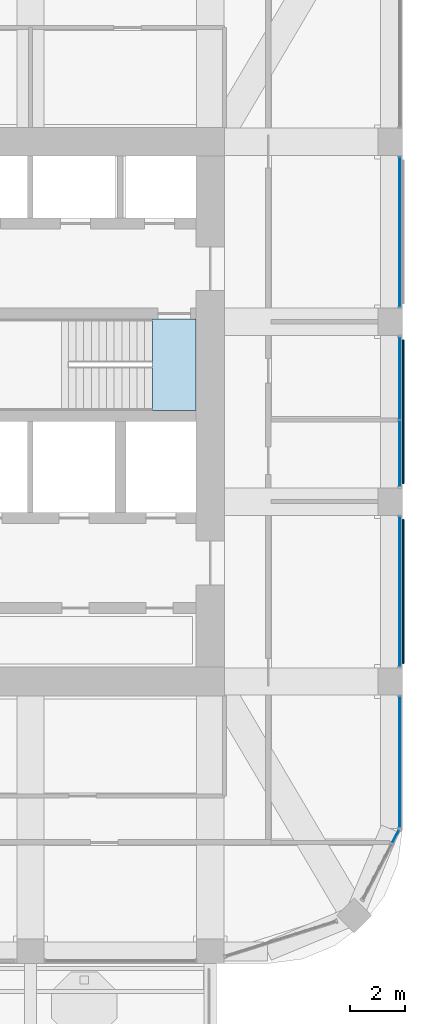
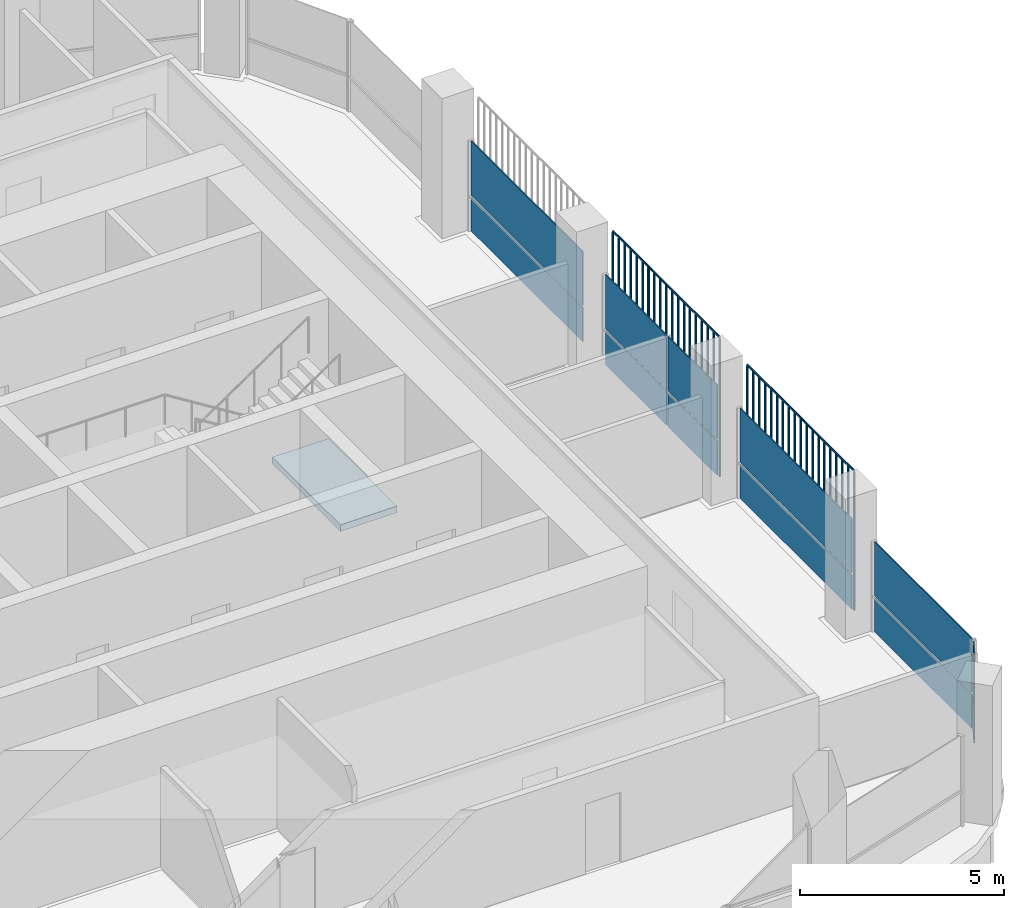
# One storey, part 11 of 21: 14 plates, 1 slab, 6 elements without a shape of their own.
"""IFC4 building model written with IfcOpenShell, lengths in metres."""

from ifc_helpers import new_model, si_unit, direction, frame, origin, origin_2d, place, context, subcontext, project, spatial, polyline, rectangle, outline, extrude, material, layer, layer_set, type_object, element, aggregate, save


model = new_model("IFC4")

# Units and contexts
model_context = context("Model", 3, precision=1e-05, world=origin(), true_north=direction((0.0, 1.0)))
body_context = subcontext(model_context, "Body", "Model", "MODEL_VIEW")
ifc_project = project(units=[si_unit("LENGTHUNIT", "METRE"), si_unit("AREAUNIT", "SQUARE_METRE"), si_unit("VOLUMEUNIT", "CUBIC_METRE"), si_unit("PLANEANGLEUNIT", "RADIAN"), si_unit("MASSUNIT", "GRAM", prefix="KILO")], contexts=[model_context])

# Site, building, storey
site_placement = place(None, origin())
site = spatial("IfcSite", under=ifc_project, at=site_placement, CompositionType="ELEMENT")
building_placement = place(site_placement, origin())
building = spatial("IfcBuilding", under=site, at=building_placement, Name="Cobogo Forest Laboratory Tower", CompositionType="ELEMENT")
storey_placement = place(building_placement, frame((0.0, 0.0, 258.60009765625)))
storey = spatial("IfcBuildingStorey", under=building, at=storey_placement, Name="L59", CompositionType="ELEMENT", Elevation=258.60009765625)

# Curtain wall, plates
ifc_material_1 = material(Name="Aluminium curtain wall", Category="aluminium")
curtain_wall_type = type_object("IfcCurtainWallType", Name="CW-2 unitised curtain wall, solar control glazing, laboratory floors zones C and D", PredefinedType="USERDEFINED", material=ifc_material_1)
curtain_wall_1_placement = place(storey_placement, origin())
curtain_wall_1 = element("IfcCurtainWall", 1, at=curtain_wall_1_placement, inside=storey, type_object=curtain_wall_type, Name="Curtain wall 06 L59", ObjectType="UNITISED CURTAIN WALL", PredefinedType="USERDEFINED")
ifc_material_2 = material(Name="Solar control insulated glass", Category="glass")
ifc_layer_1 = layer(ifc_material_2, 0.031982421875)
ifc_layer_set_1 = layer_set([ifc_layer_1], Name="GP-2 solar control glass unit 32")
plate_type_1 = type_object("IfcPlateType", Name="GP-2 solar control glass unit 32", PredefinedType="CURTAIN_PANEL", material=ifc_layer_set_1)
plate_1_placement = place(storey_placement, frame((46.40234375, 7.51806640625, 0.0), z_axis=(0.0, 0.0, 1.0), x_axis=(0.464283778337, 0.885686498245, 0.0)))
plate_1 = element("IfcPlate", 2, at=plate_1_placement, type_object=plate_type_1, Name="CW-2 panel 2.1", PredefinedType="CURTAIN_PANEL", context=body_context, shape_type="SweptSolid", body=[
    extrude(rectangle(XDim=0.516357421875, YDim=0.031982421875, at=origin_2d()), origin(), (0.0, 0.0, 1.0), 1.02001953125),
])
plate_2_placement = place(storey_placement, frame((46.40234375, 7.51806640625, 1.079833984375), z_axis=(0.0, 0.0, 1.0), x_axis=(0.464283778337, 0.885686498245, 0.0)))
plate_2 = element("IfcPlate", 3, at=plate_2_placement, type_object=plate_type_1, Name="CW-2 panel 2.2", PredefinedType="CURTAIN_PANEL", context=body_context, shape_type="SweptSolid", body=[
    extrude(rectangle(XDim=0.516357421875, YDim=0.031982421875, at=origin_2d()), origin(), (0.0, 0.0, 1.0), 1.6201171875),
])
aggregate(curtain_wall_1, [plate_1, plate_2])

curtain_wall_2_placement = place(storey_placement, origin())
curtain_wall_2 = element("IfcCurtainWall", 4, at=curtain_wall_2_placement, inside=storey, type_object=curtain_wall_type, Name="Curtain wall 07 L59", ObjectType="UNITISED CURTAIN WALL", PredefinedType="USERDEFINED")
plate_3_placement = place(storey_placement, frame((46.550048828125, 10.25, 0.0), z_axis=(0.0, 0.0, 1.0), x_axis=(0.0, 1.0, 0.0)))
plate_3 = element("IfcPlate", 5, at=plate_3_placement, type_object=plate_type_1, Name="CW-2 panel 1.1", PredefinedType="CURTAIN_PANEL", context=body_context, shape_type="SweptSolid", body=[
    extrude(rectangle(XDim=4.780029296875, YDim=0.031982421875, at=origin_2d()), origin(), (0.0, 0.0, 1.0), 1.02001953125),
])
plate_4_placement = place(storey_placement, frame((46.550048828125, 10.25, 1.079833984375), z_axis=(0.0, 0.0, 1.0), x_axis=(0.0, 1.0, 0.0)))
plate_4 = element("IfcPlate", 6, at=plate_4_placement, type_object=plate_type_1, Name="CW-2 panel 1.2", PredefinedType="CURTAIN_PANEL", context=body_context, shape_type="SweptSolid", body=[
    extrude(rectangle(XDim=4.780029296875, YDim=0.031982421875, at=origin_2d()), origin(), (0.0, 0.0, 1.0), 1.6201171875),
])
aggregate(curtain_wall_2, [plate_3, plate_4])

curtain_wall_3_placement = place(storey_placement, origin())
curtain_wall_3 = element("IfcCurtainWall", 7, at=curtain_wall_3_placement, inside=storey, type_object=curtain_wall_type, Name="Curtain wall 08 L59", ObjectType="UNITISED CURTAIN WALL", PredefinedType="USERDEFINED")
plate_5_placement = place(storey_placement, frame((46.550048828125, 16.5, 0.0), z_axis=(0.0, 0.0, 1.0), x_axis=(0.0, 1.0, 0.0)))
plate_5 = element("IfcPlate", 8, at=plate_5_placement, type_object=plate_type_1, Name="CW-2 panel 1.1", PredefinedType="CURTAIN_PANEL", context=body_context, shape_type="SweptSolid", body=[
    extrude(rectangle(XDim=5.47998046875, YDim=0.031982421875, at=origin_2d()), origin(), (0.0, 0.0, 1.0), 1.02001953125),
])
plate_6_placement = place(storey_placement, frame((46.550048828125, 16.5, 1.079833984375), z_axis=(0.0, 0.0, 1.0), x_axis=(0.0, 1.0, 0.0)))
plate_6 = element("IfcPlate", 9, at=plate_6_placement, type_object=plate_type_1, Name="CW-2 panel 1.2", PredefinedType="CURTAIN_PANEL", context=body_context, shape_type="SweptSolid", body=[
    extrude(rectangle(XDim=5.47998046875, YDim=0.031982421875, at=origin_2d()), origin(), (0.0, 0.0, 1.0), 1.6201171875),
])
aggregate(curtain_wall_3, [plate_5, plate_6])

curtain_wall_4_placement = place(storey_placement, origin())
curtain_wall_4 = element("IfcCurtainWall", 10, at=curtain_wall_4_placement, inside=storey, type_object=curtain_wall_type, Name="Curtain wall 09 L59", ObjectType="UNITISED CURTAIN WALL", PredefinedType="USERDEFINED")
plate_7_placement = place(storey_placement, frame((46.550048828125, 21.56494140625, 0.0), z_axis=(0.0, 0.0, 1.0), x_axis=(0.0, 1.0, 0.0)))
plate_7 = element("IfcPlate", 11, at=plate_7_placement, type_object=plate_type_1, Name="CW-2 panel 1.1", PredefinedType="CURTAIN_PANEL", context=body_context, shape_type="SweptSolid", body=[
    extrude(rectangle(XDim=2.409912109375, YDim=0.031982421875, at=origin_2d()), origin(), (0.0, 0.0, 1.0), 1.02001953125),
])
plate_8_placement = place(storey_placement, frame((46.550048828125, 21.56494140625, 1.079833984375), z_axis=(0.0, 0.0, 1.0), x_axis=(0.0, 1.0, 0.0)))
plate_8 = element("IfcPlate", 12, at=plate_8_placement, type_object=plate_type_1, Name="CW-2 panel 1.2", PredefinedType="CURTAIN_PANEL", context=body_context, shape_type="SweptSolid", body=[
    extrude(rectangle(XDim=2.409912109375, YDim=0.031982421875, at=origin_2d()), origin(), (0.0, 0.0, 1.0), 1.6201171875),
])
plate_9_placement = place(storey_placement, frame((46.550048828125, 24.3349609375, 0.0), z_axis=(0.0, 0.0, 1.0), x_axis=(0.0, 1.0, 0.0)))
plate_9 = element("IfcPlate", 13, at=plate_9_placement, type_object=plate_type_1, Name="CW-2 panel 2.1", PredefinedType="CURTAIN_PANEL", context=body_context, shape_type="SweptSolid", body=[
    extrude(rectangle(XDim=3.010009765625, YDim=0.031982421875, at=origin_2d()), origin(), (0.0, 0.0, 1.0), 1.02001953125),
])
plate_10_placement = place(storey_placement, frame((46.550048828125, 24.3349609375, 1.079833984375), z_axis=(0.0, 0.0, 1.0), x_axis=(0.0, 1.0, 0.0)))
plate_10 = element("IfcPlate", 14, at=plate_10_placement, type_object=plate_type_1, Name="CW-2 panel 2.2", PredefinedType="CURTAIN_PANEL", context=body_context, shape_type="SweptSolid", body=[
    extrude(rectangle(XDim=3.010009765625, YDim=0.031982421875, at=origin_2d()), origin(), (0.0, 0.0, 1.0), 1.6201171875),
])
aggregate(curtain_wall_4, [plate_7, plate_8, plate_9, plate_10])

curtain_wall_5_placement = place(storey_placement, origin())
curtain_wall_5 = element("IfcCurtainWall", 15, at=curtain_wall_5_placement, inside=storey, type_object=curtain_wall_type, Name="Curtain wall 10 L59", ObjectType="UNITISED CURTAIN WALL", PredefinedType="USERDEFINED")
plate_11_placement = place(storey_placement, frame((46.550048828125, 29.699951171875, 0.0), z_axis=(0.0, 0.0, 1.0), x_axis=(0.0, 1.0, 0.0)))
plate_11 = element("IfcPlate", 16, at=plate_11_placement, type_object=plate_type_1, Name="CW-2 panel 1.1", PredefinedType="CURTAIN_PANEL", context=body_context, shape_type="SweptSolid", body=[
    extrude(rectangle(XDim=5.47998046875, YDim=0.031982421875, at=origin_2d()), origin(), (0.0, 0.0, 1.0), 1.02001953125),
])
plate_12_placement = place(storey_placement, frame((46.550048828125, 29.699951171875, 1.079833984375), z_axis=(0.0, 0.0, 1.0), x_axis=(0.0, 1.0, 0.0)))
plate_12 = element("IfcPlate", 17, at=plate_12_placement, type_object=plate_type_1, Name="CW-2 panel 1.2", PredefinedType="CURTAIN_PANEL", context=body_context, shape_type="SweptSolid", body=[
    extrude(rectangle(XDim=5.47998046875, YDim=0.031982421875, at=origin_2d()), origin(), (0.0, 0.0, 1.0), 1.6201171875),
])
aggregate(curtain_wall_5, [plate_11, plate_12])

# Stair, slab
ifc_material_3 = material(Name="Precast concrete HA-40 (C40/50)", Category="concrete")
stair_type = type_object("IfcStairType", Name="ST24 exit stair 24 risers", PredefinedType="HALF_TURN_STAIR", material=ifc_material_3)
stair_placement = place(storey_placement, origin())
stair = element("IfcStair", 18, at=stair_placement, inside=storey, type_object=stair_type, Name="Stair 2 L59 to L60", PredefinedType="HALF_TURN_STAIR")
ifc_material_4 = material(Name="Concrete HA-40 (C40/50)", Category="concrete")
ifc_layer_2 = layer(ifc_material_4, 0.199951171875)
ifc_layer_set_2 = layer_set([ifc_layer_2], Name="SL stair landing 200")
slab_type = type_object("IfcSlabType", Name="SL stair landing 200", PredefinedType="LANDING", material=ifc_layer_set_2)
slab_placement = place(storey_placement, frame((0.0, 0.0, -0.2001953125)))
slab = element("IfcSlab", 19, at=slab_placement, type_object=slab_type, Name="ST2 landing 1", PredefinedType="LANDING", context=body_context, shape_type="SweptSolid", body=[
    extrude(outline(polyline([(37.472900390625, 23.14990234375), (39.074951171875, 23.14990234375), (39.074951171875, 26.5), (37.472900390625, 26.5), (37.472900390625, 23.14990234375)])), origin(), (0.0, 0.0, 1.0), 0.2001953125),
])
aggregate(stair, [slab])

# Plates
ifc_material_5 = material(Name="Terracotta", Category="masonry")
plate_type_2 = type_object("IfcPlateType", Name="TB1 terracotta baguette screen", PredefinedType="USERDEFINED", material=ifc_material_5)
plate_13_placement = place(storey_placement, frame((46.677978515625, 13.88134765625, -0.150146484375)))
element("IfcPlate", 20, at=plate_13_placement, inside=storey, type_object=plate_type_2, Name="Baguette screen E1 L59", ObjectType="BAGUETTE SCREEN", PredefinedType="USERDEFINED", context=body_context, shape_type="SweptSolid", body=[
    extrude(outline(polyline([(0.02880859375, 0.011962890625), (0.011962890625, 0.02880859375), (-0.011962890625, 0.02880859375), (-0.02880859375, 0.011962890625), (-0.02880859375, -0.011962890625), (-0.011962890625, -0.02880859375), (0.011962890625, -0.02880859375), (0.02880859375, -0.011962890625), (0.02880859375, 0.011962890625)])), frame((0.0, 0.0, 4.168701171875), z_axis=(0.0, 1.0, 0.0), x_axis=(-1.0, 0.0, 0.0)), (0.0, 0.0, 1.0), 5.2373046875),
    extrude(outline(polyline([(0.02880859375, 0.011962890625), (0.011962890625, 0.02880859375), (-0.011962890625, 0.02880859375), (-0.02880859375, 0.011962890625), (-0.02880859375, -0.011962890625), (-0.011962890625, -0.02880859375), (0.011962890625, -0.02880859375), (0.02880859375, -0.011962890625), (0.02880859375, 0.011962890625)])), origin(), (0.0, 0.0, 1.0), 4.137451171875),
    extrude(outline(polyline([(0.02880859375, 0.011962890625), (0.011962890625, 0.02880859375), (-0.011962890625, 0.02880859375), (-0.02880859375, 0.011962890625), (-0.02880859375, -0.011962890625), (-0.011962890625, -0.02880859375), (0.011962890625, -0.02880859375), (0.02880859375, -0.011962890625), (0.02880859375, 0.011962890625)])), frame((0.0, 0.291015625, 0.0)), (0.0, 0.0, 1.0), 4.137451171875),
    extrude(outline(polyline([(0.02880859375, 0.011962890625), (0.011962890625, 0.02880859375), (-0.011962890625, 0.02880859375), (-0.02880859375, 0.011962890625), (-0.02880859375, -0.011962890625), (-0.011962890625, -0.02880859375), (0.011962890625, -0.02880859375), (0.02880859375, -0.011962890625), (0.02880859375, 0.011962890625)])), frame((0.0, 0.58203125, 0.0)), (0.0, 0.0, 1.0), 4.137451171875),
    extrude(outline(polyline([(0.02880859375, 0.011962890625), (0.011962890625, 0.02880859375), (-0.011962890625, 0.02880859375), (-0.02880859375, 0.011962890625), (-0.02880859375, -0.011962890625), (-0.011962890625, -0.02880859375), (0.011962890625, -0.02880859375), (0.02880859375, -0.011962890625), (0.02880859375, 0.011962890625)])), frame((0.0, 0.872802734375, 0.0)), (0.0, 0.0, 1.0), 4.137451171875),
    extrude(outline(polyline([(0.02880859375, 0.011962890625), (0.011962890625, 0.02880859375), (-0.011962890625, 0.02880859375), (-0.02880859375, 0.011962890625), (-0.02880859375, -0.011962890625), (-0.011962890625, -0.02880859375), (0.011962890625, -0.02880859375), (0.02880859375, -0.011962890625), (0.02880859375, 0.011962890625)])), frame((0.0, 1.163818359375, 0.0)), (0.0, 0.0, 1.0), 4.137451171875),
    extrude(outline(polyline([(0.02880859375, 0.011962890625), (0.011962890625, 0.02880859375), (-0.011962890625, 0.02880859375), (-0.02880859375, 0.011962890625), (-0.02880859375, -0.011962890625), (-0.011962890625, -0.02880859375), (0.011962890625, -0.02880859375), (0.02880859375, -0.011962890625), (0.02880859375, 0.011962890625)])), frame((0.0, 1.454833984375, 0.0)), (0.0, 0.0, 1.0), 4.137451171875),
    extrude(outline(polyline([(0.02880859375, 0.011962890625), (0.011962890625, 0.02880859375), (-0.011962890625, 0.02880859375), (-0.02880859375, 0.011962890625), (-0.02880859375, -0.011962890625), (-0.011962890625, -0.02880859375), (0.011962890625, -0.02880859375), (0.02880859375, -0.011962890625), (0.02880859375, 0.011962890625)])), frame((0.0, 1.745849609375, 0.0)), (0.0, 0.0, 1.0), 4.137451171875),
    extrude(outline(polyline([(0.02880859375, 0.011962890625), (0.011962890625, 0.02880859375), (-0.011962890625, 0.02880859375), (-0.02880859375, 0.011962890625), (-0.02880859375, -0.011962890625), (-0.011962890625, -0.02880859375), (0.011962890625, -0.02880859375), (0.02880859375, -0.011962890625), (0.02880859375, 0.011962890625)])), frame((0.0, 2.03662109375, 0.0)), (0.0, 0.0, 1.0), 4.137451171875),
    extrude(outline(polyline([(0.02880859375, 0.011962890625), (0.011962890625, 0.02880859375), (-0.011962890625, 0.02880859375), (-0.02880859375, 0.011962890625), (-0.02880859375, -0.011962890625), (-0.011962890625, -0.02880859375), (0.011962890625, -0.02880859375), (0.02880859375, -0.011962890625), (0.02880859375, 0.011962890625)])), frame((0.0, 2.32763671875, 0.0)), (0.0, 0.0, 1.0), 4.137451171875),
    extrude(outline(polyline([(0.02880859375, 0.011962890625), (0.011962890625, 0.02880859375), (-0.011962890625, 0.02880859375), (-0.02880859375, 0.011962890625), (-0.02880859375, -0.011962890625), (-0.011962890625, -0.02880859375), (0.011962890625, -0.02880859375), (0.02880859375, -0.011962890625), (0.02880859375, 0.011962890625)])), frame((0.0, 2.61865234375, 0.0)), (0.0, 0.0, 1.0), 4.137451171875),
    extrude(outline(polyline([(0.02880859375, 0.011962890625), (0.011962890625, 0.02880859375), (-0.011962890625, 0.02880859375), (-0.02880859375, 0.011962890625), (-0.02880859375, -0.011962890625), (-0.011962890625, -0.02880859375), (0.011962890625, -0.02880859375), (0.02880859375, -0.011962890625), (0.02880859375, 0.011962890625)])), frame((0.0, 2.90966796875, 0.0)), (0.0, 0.0, 1.0), 4.137451171875),
    extrude(outline(polyline([(0.02880859375, 0.011962890625), (0.011962890625, 0.02880859375), (-0.011962890625, 0.02880859375), (-0.02880859375, 0.011962890625), (-0.02880859375, -0.011962890625), (-0.011962890625, -0.02880859375), (0.011962890625, -0.02880859375), (0.02880859375, -0.011962890625), (0.02880859375, 0.011962890625)])), frame((0.0, 3.20068359375, 0.0)), (0.0, 0.0, 1.0), 4.137451171875),
    extrude(outline(polyline([(0.02880859375, 0.011962890625), (0.011962890625, 0.02880859375), (-0.011962890625, 0.02880859375), (-0.02880859375, 0.011962890625), (-0.02880859375, -0.011962890625), (-0.011962890625, -0.02880859375), (0.011962890625, -0.02880859375), (0.02880859375, -0.011962890625), (0.02880859375, 0.011962890625)])), frame((0.0, 3.491455078125, 0.0)), (0.0, 0.0, 1.0), 4.137451171875),
    extrude(outline(polyline([(0.02880859375, 0.011962890625), (0.011962890625, 0.02880859375), (-0.011962890625, 0.02880859375), (-0.02880859375, 0.011962890625), (-0.02880859375, -0.011962890625), (-0.011962890625, -0.02880859375), (0.011962890625, -0.02880859375), (0.02880859375, -0.011962890625), (0.02880859375, 0.011962890625)])), frame((0.0, 3.782470703125, 0.0)), (0.0, 0.0, 1.0), 4.137451171875),
    extrude(outline(polyline([(0.02880859375, 0.011962890625), (0.011962890625, 0.02880859375), (-0.011962890625, 0.02880859375), (-0.02880859375, 0.011962890625), (-0.02880859375, -0.011962890625), (-0.011962890625, -0.02880859375), (0.011962890625, -0.02880859375), (0.02880859375, -0.011962890625), (0.02880859375, 0.011962890625)])), frame((0.0, 4.073486328125, 0.0)), (0.0, 0.0, 1.0), 4.137451171875),
    extrude(outline(polyline([(0.02880859375, 0.011962890625), (0.011962890625, 0.02880859375), (-0.011962890625, 0.02880859375), (-0.02880859375, 0.011962890625), (-0.02880859375, -0.011962890625), (-0.011962890625, -0.02880859375), (0.011962890625, -0.02880859375), (0.02880859375, -0.011962890625), (0.02880859375, 0.011962890625)])), frame((0.0, 4.364501953125, 0.0)), (0.0, 0.0, 1.0), 4.137451171875),
    extrude(outline(polyline([(0.02880859375, 0.011962890625), (0.011962890625, 0.02880859375), (-0.011962890625, 0.02880859375), (-0.02880859375, 0.011962890625), (-0.02880859375, -0.011962890625), (-0.011962890625, -0.02880859375), (0.011962890625, -0.02880859375), (0.02880859375, -0.011962890625), (0.02880859375, 0.011962890625)])), frame((0.0, 4.6552734375, 0.0)), (0.0, 0.0, 1.0), 4.137451171875),
    extrude(outline(polyline([(0.02880859375, 0.011962890625), (0.011962890625, 0.02880859375), (-0.011962890625, 0.02880859375), (-0.02880859375, 0.011962890625), (-0.02880859375, -0.011962890625), (-0.011962890625, -0.02880859375), (0.011962890625, -0.02880859375), (0.02880859375, -0.011962890625), (0.02880859375, 0.011962890625)])), frame((0.0, 4.9462890625, 0.0)), (0.0, 0.0, 1.0), 4.137451171875),
    extrude(outline(polyline([(0.02880859375, 0.011962890625), (0.011962890625, 0.02880859375), (-0.011962890625, 0.02880859375), (-0.02880859375, 0.011962890625), (-0.02880859375, -0.011962890625), (-0.011962890625, -0.02880859375), (0.011962890625, -0.02880859375), (0.02880859375, -0.011962890625), (0.02880859375, 0.011962890625)])), frame((0.0, 5.2373046875, 0.0)), (0.0, 0.0, 1.0), 4.137451171875),
])
plate_14_placement = place(storey_placement, frame((46.677978515625, 20.481201171875, -0.150146484375)))
element("IfcPlate", 21, at=plate_14_placement, inside=storey, type_object=plate_type_2, Name="Baguette screen E2 L59", ObjectType="BAGUETTE SCREEN", PredefinedType="USERDEFINED", context=body_context, shape_type="SweptSolid", body=[
    extrude(outline(polyline([(0.02880859375, 0.011962890625), (0.011962890625, 0.02880859375), (-0.011962890625, 0.02880859375), (-0.02880859375, 0.011962890625), (-0.02880859375, -0.011962890625), (-0.011962890625, -0.02880859375), (0.011962890625, -0.02880859375), (0.02880859375, -0.011962890625), (0.02880859375, 0.011962890625)])), frame((0.0, 0.0, 4.168701171875), z_axis=(0.0, 1.0, 0.0), x_axis=(-1.0, 0.0, 0.0)), (0.0, 0.0, 1.0), 5.237548828125),
    extrude(outline(polyline([(0.02880859375, 0.011962890625), (0.011962890625, 0.02880859375), (-0.011962890625, 0.02880859375), (-0.02880859375, 0.011962890625), (-0.02880859375, -0.011962890625), (-0.011962890625, -0.02880859375), (0.011962890625, -0.02880859375), (0.02880859375, -0.011962890625), (0.02880859375, 0.011962890625)])), origin(), (0.0, 0.0, 1.0), 4.137451171875),
    extrude(outline(polyline([(0.02880859375, 0.011962890625), (0.011962890625, 0.02880859375), (-0.011962890625, 0.02880859375), (-0.02880859375, 0.011962890625), (-0.02880859375, -0.011962890625), (-0.011962890625, -0.02880859375), (0.011962890625, -0.02880859375), (0.02880859375, -0.011962890625), (0.02880859375, 0.011962890625)])), frame((0.0, 0.291015625, 0.0)), (0.0, 0.0, 1.0), 4.137451171875),
    extrude(outline(polyline([(0.02880859375, 0.011962890625), (0.011962890625, 0.02880859375), (-0.011962890625, 0.02880859375), (-0.02880859375, 0.011962890625), (-0.02880859375, -0.011962890625), (-0.011962890625, -0.02880859375), (0.011962890625, -0.02880859375), (0.02880859375, -0.011962890625), (0.02880859375, 0.011962890625)])), frame((0.0, 0.58203125, 0.0)), (0.0, 0.0, 1.0), 4.137451171875),
    extrude(outline(polyline([(0.02880859375, 0.011962890625), (0.011962890625, 0.02880859375), (-0.011962890625, 0.02880859375), (-0.02880859375, 0.011962890625), (-0.02880859375, -0.011962890625), (-0.011962890625, -0.02880859375), (0.011962890625, -0.02880859375), (0.02880859375, -0.011962890625), (0.02880859375, 0.011962890625)])), frame((0.0, 0.873046875, 0.0)), (0.0, 0.0, 1.0), 4.137451171875),
    extrude(outline(polyline([(0.02880859375, 0.011962890625), (0.011962890625, 0.02880859375), (-0.011962890625, 0.02880859375), (-0.02880859375, 0.011962890625), (-0.02880859375, -0.011962890625), (-0.011962890625, -0.02880859375), (0.011962890625, -0.02880859375), (0.02880859375, -0.011962890625), (0.02880859375, 0.011962890625)])), frame((0.0, 1.163818359375, 0.0)), (0.0, 0.0, 1.0), 4.137451171875),
    extrude(outline(polyline([(0.02880859375, 0.011962890625), (0.011962890625, 0.02880859375), (-0.011962890625, 0.02880859375), (-0.02880859375, 0.011962890625), (-0.02880859375, -0.011962890625), (-0.011962890625, -0.02880859375), (0.011962890625, -0.02880859375), (0.02880859375, -0.011962890625), (0.02880859375, 0.011962890625)])), frame((0.0, 1.454833984375, 0.0)), (0.0, 0.0, 1.0), 4.137451171875),
    extrude(outline(polyline([(0.02880859375, 0.011962890625), (0.011962890625, 0.02880859375), (-0.011962890625, 0.02880859375), (-0.02880859375, 0.011962890625), (-0.02880859375, -0.011962890625), (-0.011962890625, -0.02880859375), (0.011962890625, -0.02880859375), (0.02880859375, -0.011962890625), (0.02880859375, 0.011962890625)])), frame((0.0, 1.745849609375, 0.0)), (0.0, 0.0, 1.0), 4.137451171875),
    extrude(outline(polyline([(0.02880859375, 0.011962890625), (0.011962890625, 0.02880859375), (-0.011962890625, 0.02880859375), (-0.02880859375, 0.011962890625), (-0.02880859375, -0.011962890625), (-0.011962890625, -0.02880859375), (0.011962890625, -0.02880859375), (0.02880859375, -0.011962890625), (0.02880859375, 0.011962890625)])), frame((0.0, 2.036865234375, 0.0)), (0.0, 0.0, 1.0), 4.137451171875),
    extrude(outline(polyline([(0.02880859375, 0.011962890625), (0.011962890625, 0.02880859375), (-0.011962890625, 0.02880859375), (-0.02880859375, 0.011962890625), (-0.02880859375, -0.011962890625), (-0.011962890625, -0.02880859375), (0.011962890625, -0.02880859375), (0.02880859375, -0.011962890625), (0.02880859375, 0.011962890625)])), frame((0.0, 2.327880859375, 0.0)), (0.0, 0.0, 1.0), 4.137451171875),
    extrude(outline(polyline([(0.02880859375, 0.011962890625), (0.011962890625, 0.02880859375), (-0.011962890625, 0.02880859375), (-0.02880859375, 0.011962890625), (-0.02880859375, -0.011962890625), (-0.011962890625, -0.02880859375), (0.011962890625, -0.02880859375), (0.02880859375, -0.011962890625), (0.02880859375, 0.011962890625)])), frame((0.0, 2.61865234375, 0.0)), (0.0, 0.0, 1.0), 4.137451171875),
    extrude(outline(polyline([(0.02880859375, 0.011962890625), (0.011962890625, 0.02880859375), (-0.011962890625, 0.02880859375), (-0.02880859375, 0.011962890625), (-0.02880859375, -0.011962890625), (-0.011962890625, -0.02880859375), (0.011962890625, -0.02880859375), (0.02880859375, -0.011962890625), (0.02880859375, 0.011962890625)])), frame((0.0, 2.90966796875, 0.0)), (0.0, 0.0, 1.0), 4.137451171875),
    extrude(outline(polyline([(0.02880859375, 0.011962890625), (0.011962890625, 0.02880859375), (-0.011962890625, 0.02880859375), (-0.02880859375, 0.011962890625), (-0.02880859375, -0.011962890625), (-0.011962890625, -0.02880859375), (0.011962890625, -0.02880859375), (0.02880859375, -0.011962890625), (0.02880859375, 0.011962890625)])), frame((0.0, 3.20068359375, 0.0)), (0.0, 0.0, 1.0), 4.137451171875),
    extrude(outline(polyline([(0.02880859375, 0.011962890625), (0.011962890625, 0.02880859375), (-0.011962890625, 0.02880859375), (-0.02880859375, 0.011962890625), (-0.02880859375, -0.011962890625), (-0.011962890625, -0.02880859375), (0.011962890625, -0.02880859375), (0.02880859375, -0.011962890625), (0.02880859375, 0.011962890625)])), frame((0.0, 3.49169921875, 0.0)), (0.0, 0.0, 1.0), 4.137451171875),
    extrude(outline(polyline([(0.02880859375, 0.011962890625), (0.011962890625, 0.02880859375), (-0.011962890625, 0.02880859375), (-0.02880859375, 0.011962890625), (-0.02880859375, -0.011962890625), (-0.011962890625, -0.02880859375), (0.011962890625, -0.02880859375), (0.02880859375, -0.011962890625), (0.02880859375, 0.011962890625)])), frame((0.0, 3.78271484375, 0.0)), (0.0, 0.0, 1.0), 4.137451171875),
    extrude(outline(polyline([(0.02880859375, 0.011962890625), (0.011962890625, 0.02880859375), (-0.011962890625, 0.02880859375), (-0.02880859375, 0.011962890625), (-0.02880859375, -0.011962890625), (-0.011962890625, -0.02880859375), (0.011962890625, -0.02880859375), (0.02880859375, -0.011962890625), (0.02880859375, 0.011962890625)])), frame((0.0, 4.07373046875, 0.0)), (0.0, 0.0, 1.0), 4.137451171875),
    extrude(outline(polyline([(0.02880859375, 0.011962890625), (0.011962890625, 0.02880859375), (-0.011962890625, 0.02880859375), (-0.02880859375, 0.011962890625), (-0.02880859375, -0.011962890625), (-0.011962890625, -0.02880859375), (0.011962890625, -0.02880859375), (0.02880859375, -0.011962890625), (0.02880859375, 0.011962890625)])), frame((0.0, 4.36474609375, 0.0)), (0.0, 0.0, 1.0), 4.137451171875),
    extrude(outline(polyline([(0.02880859375, 0.011962890625), (0.011962890625, 0.02880859375), (-0.011962890625, 0.02880859375), (-0.02880859375, 0.011962890625), (-0.02880859375, -0.011962890625), (-0.011962890625, -0.02880859375), (0.011962890625, -0.02880859375), (0.02880859375, -0.011962890625), (0.02880859375, 0.011962890625)])), frame((0.0, 4.655517578125, 0.0)), (0.0, 0.0, 1.0), 4.137451171875),
    extrude(outline(polyline([(0.02880859375, 0.011962890625), (0.011962890625, 0.02880859375), (-0.011962890625, 0.02880859375), (-0.02880859375, 0.011962890625), (-0.02880859375, -0.011962890625), (-0.011962890625, -0.02880859375), (0.011962890625, -0.02880859375), (0.02880859375, -0.011962890625), (0.02880859375, 0.011962890625)])), frame((0.0, 4.946533203125, 0.0)), (0.0, 0.0, 1.0), 4.137451171875),
    extrude(outline(polyline([(0.02880859375, 0.011962890625), (0.011962890625, 0.02880859375), (-0.011962890625, 0.02880859375), (-0.02880859375, 0.011962890625), (-0.02880859375, -0.011962890625), (-0.011962890625, -0.02880859375), (0.011962890625, -0.02880859375), (0.02880859375, -0.011962890625), (0.02880859375, 0.011962890625)])), frame((0.0, 5.237548828125, 0.0)), (0.0, 0.0, 1.0), 4.137451171875),
])

save(model, "model.ifc")
